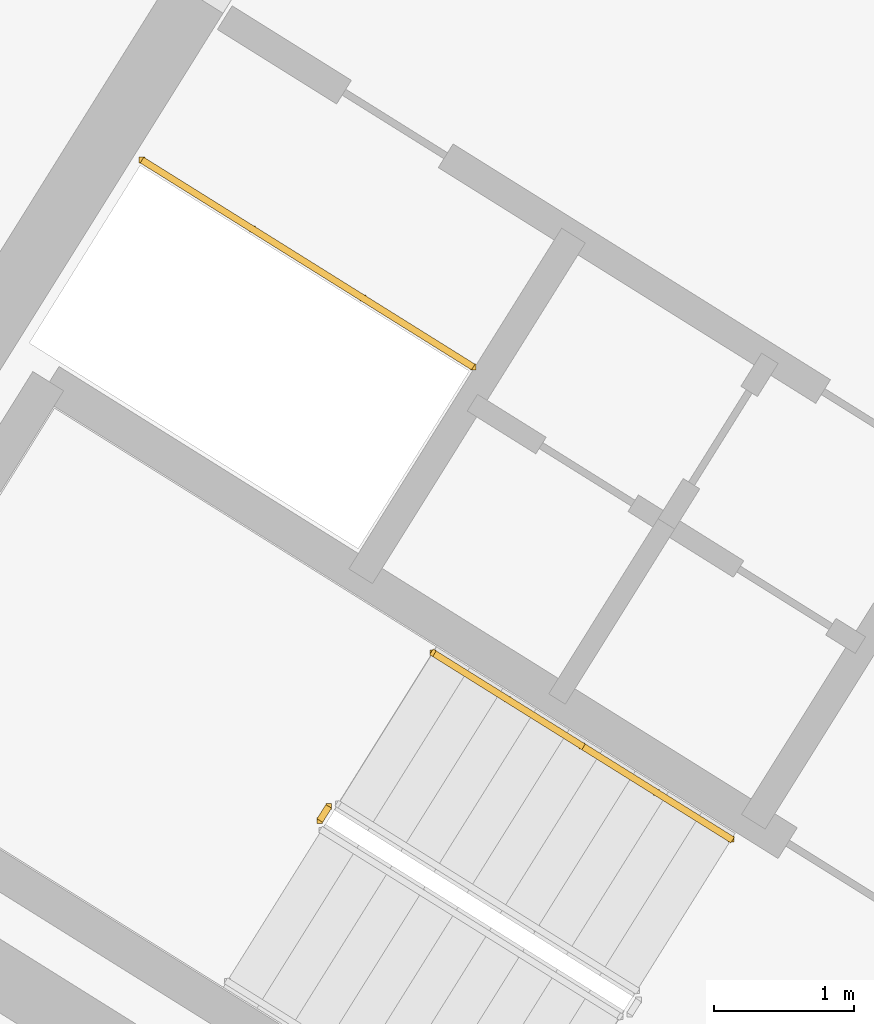
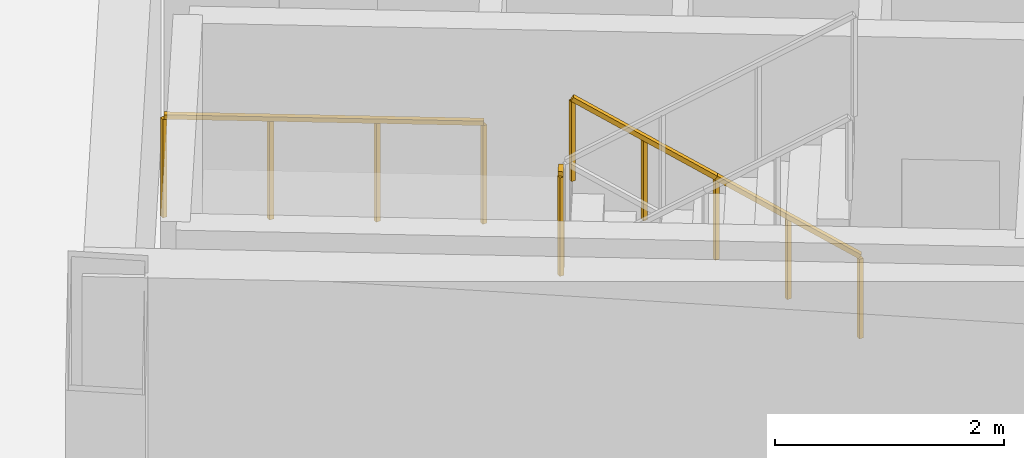
# One storey, part 15 of 17: 4 railings.
"""IFC4 building model written with IfcOpenShell, lengths in metres."""

from ifc_helpers import new_model, si_unit, direction, frame, origin, origin_2d, place, context, subcontext, project, spatial, rectangle, extrude, source, transform, mapped, material, type_object, element, save


model = new_model("IFC4")

# Units and contexts
model_context = context("Model", 3, precision=1e-05, world=origin(), true_north=direction((0.0, 1.0)))
body_context = subcontext(model_context, "Body", "Model", "MODEL_VIEW")
ifc_project = project(units=[si_unit("LENGTHUNIT", "METRE"), si_unit("AREAUNIT", "SQUARE_METRE"), si_unit("VOLUMEUNIT", "CUBIC_METRE"), si_unit("PLANEANGLEUNIT", "RADIAN"), si_unit("MASSUNIT", "GRAM", prefix="KILO")], contexts=[model_context])

# Site, building, storey
site_placement = place(None, origin())
site = spatial("IfcSite", under=ifc_project, at=site_placement, CompositionType="ELEMENT")
building_placement = place(site_placement, origin())
building = spatial("IfcBuilding", under=site, at=building_placement, Name="Tlacorven Tower", CompositionType="ELEMENT")
storey_placement = place(building_placement, frame((0.0, 0.0, 277.199951171875)))
storey = spatial("IfcBuildingStorey", under=building, at=storey_placement, Name="L70", CompositionType="ELEMENT", Elevation=277.199951171875)

# Railings
ifc_material = material(Name="Aluminium and painted steel balustrade", Category="steel")
railing_type_1 = type_object("IfcRailingType", Name="RL-GRD-1100", PredefinedType="GUARDRAIL", material=ifc_material)
shared_shape_1 = source(origin(), body_context, "Body", "SweptSolid", [
    extrude(rectangle(XDim=0.048095703125, YDim=0.048095703125, at=origin_2d()), frame((0.0, 0.0, 1.076171875), z_axis=(-0.848091358275, 0.529850024081, 0.0), x_axis=(-0.529850024081, -0.848091358275, 0.0)), (0.0, 0.0, 1.0), 2.800048828125),
    extrude(rectangle(XDim=0.0419921875, YDim=0.0419921875, at=origin_2d()), origin(), (0.0, 0.0, 1.0), 1.052001953125),
    extrude(rectangle(XDim=0.0419921875, YDim=0.0419921875, at=origin_2d()), frame((-0.79150390625, 0.49462890625, 0.0)), (0.0, 0.0, 1.0), 1.052001953125),
    extrude(rectangle(XDim=0.0419921875, YDim=0.0419921875, at=origin_2d()), frame((-1.583251953125, 0.989013671875, 0.0)), (0.0, 0.0, 1.0), 1.052001953125),
    extrude(rectangle(XDim=0.0419921875, YDim=0.0419921875, at=origin_2d()), frame((-2.374755859375, 1.483642578125, 0.0)), (0.0, 0.0, 1.0), 1.052001953125),
])
railing_1_placement = place(storey_placement, frame((27.9912109375, 22.32080078125, 0.0)))
element("IfcRailing", 1, at=railing_1_placement, inside=storey, type_object=railing_type_1, Name="L70 Electrical Riser W Shaft Guard 1", PredefinedType="GUARDRAIL", context=body_context, shape_type="MappedRepresentation", body=[
    mapped(shared_shape_1, transform((0.0, 0.0, 0.0), scale=1.0)),
])
shared_shape_2 = source(origin(), body_context, "Body", "SweptSolid", [
    extrude(rectangle(XDim=0.048095703125, YDim=0.048095703125, at=origin_2d()), frame((0.0, 0.0, 1.076171875), z_axis=(-0.530546985787, -0.847655529016, 0.0), x_axis=(0.847655529016, -0.530546985787, 0.0)), (0.0, 0.0, 1.0), 0.1201171875),
    extrude(rectangle(XDim=0.0419921875, YDim=0.0419921875, at=origin_2d()), origin(), (0.0, 0.0, 1.0), 1.052001953125),
    extrude(rectangle(XDim=0.0419921875, YDim=0.0419921875, at=origin_2d()), frame((-0.063720703125, -0.101806640625, 0.0)), (0.0, 0.0, 1.0), 1.052001953125),
])
railing_2_placement = place(storey_placement, frame((26.954833984375, 19.17138671875, 1.800048828125)))
element("IfcRailing", 2, at=railing_2_placement, inside=storey, type_object=railing_type_1, Name="L70 ST-W1 stair guard 2", PredefinedType="GUARDRAIL", context=body_context, shape_type="MappedRepresentation", body=[
    mapped(shared_shape_2, transform((0.0, 0.0, 0.0), scale=1.0)),
])
railing_type_2 = type_object("IfcRailingType", Name="RL-HND-0900", PredefinedType="HANDRAIL", material=ifc_material)
shared_shape_3 = source(origin(), body_context, "Body", "SweptSolid", [
    extrude(rectangle(XDim=0.048095703125, YDim=0.048095703125, at=origin_2d()), frame((0.0, 0.0, 0.8759765625), z_axis=(-0.713359751793, 0.4457479829, 0.540764828981), x_axis=(-0.529911857636, -0.848052724267, 0.0)), (0.0, 0.0, 1.0), 1.498046875),
    extrude(rectangle(XDim=0.0419921875, YDim=0.0419921875, at=origin_2d()), origin(), (0.0, 0.0, 1.0), 0.851806640625),
    extrude(rectangle(XDim=0.0419921875, YDim=0.0419921875, at=origin_2d()), frame((-0.5341796875, 0.333984375, 0.405029296875)), (0.0, 0.0, 1.0), 0.851806640625),
    extrude(rectangle(XDim=0.0419921875, YDim=0.0419921875, at=origin_2d()), frame((-1.068603515625, 0.667724609375, 0.81005859375)), (0.0, 0.0, 1.0), 0.851806640625),
])
for number, where, name in (
    (3, (29.839111328125, 18.937255859375, 0.179931640625), "L70 ST-W1 stair handrail 1"),
    (4, (28.7705078125, 19.60498046875, 0.989990234375), "L70 ST-W1 stair handrail 2"),
):
    element("IfcRailing", number, at=place(storey_placement, frame(where)), inside=storey, type_object=railing_type_2, Name=name, PredefinedType="HANDRAIL", context=body_context, shape_type="MappedRepresentation", body=[
        mapped(shared_shape_3, transform((0.0, 0.0, 0.0), scale=1.0)),
    ])

save(model, "model.ifc")
